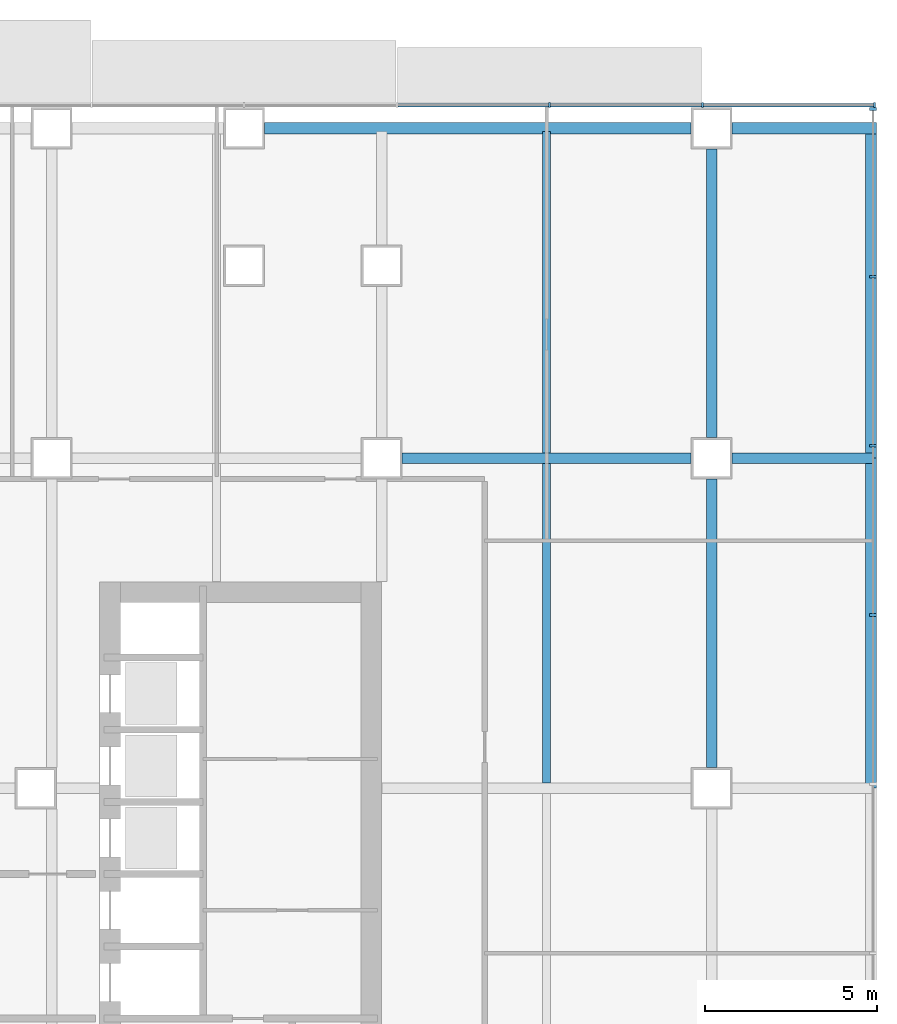
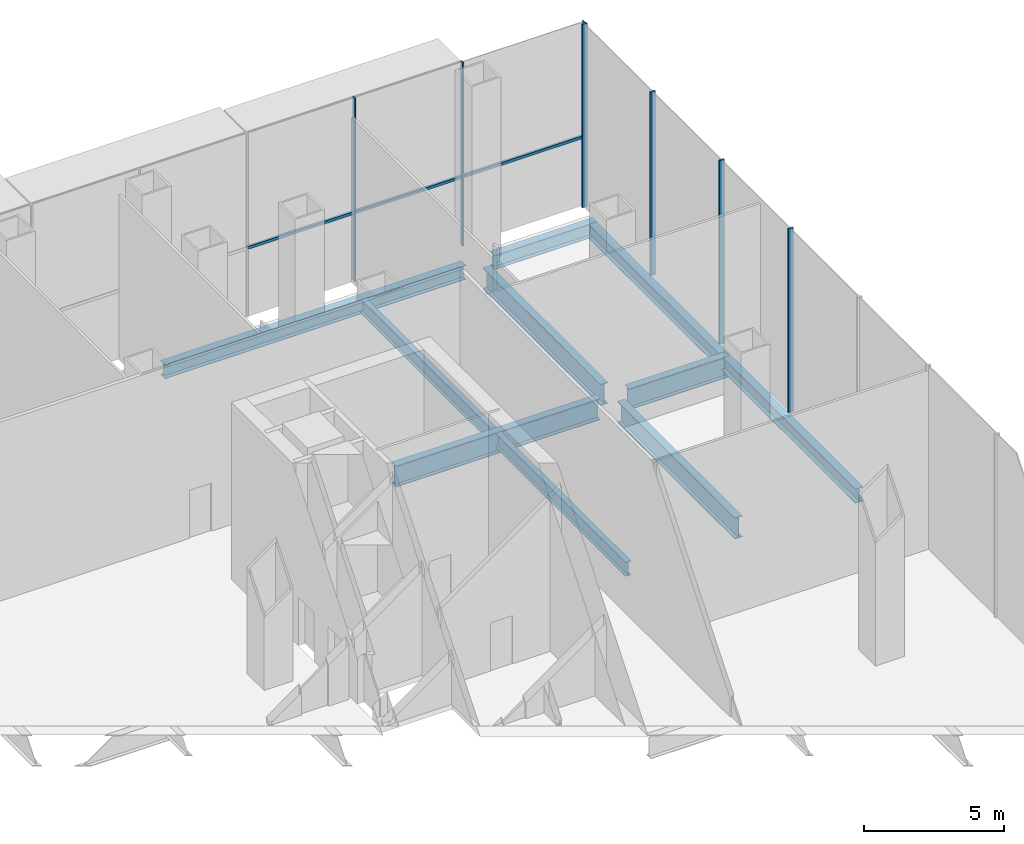
# One storey, part 12 of 24: 10 beams, 10 members, 2 elements without a shape of their own.
"""IFC4 building model written with IfcOpenShell, lengths in metres."""

import ifcopenshell
import ifcopenshell.guid

model = None  # the IFC model being written
_history = None  # IfcOwnerHistory: only IFC2X3 demands one
_inside = {}  # id of a spatial element -> (the spatial element, [elements in it])
_under = {}  # id of a project, library or spatial element -> (it, [spatial elements below it])
_declared = {}  # id of a project -> (the project, [libraries it declares])
_typed = {}  # id of a type object -> (the type object, [elements of that type])
_made_of = {}  # id of a material, layer set ... -> (it, [elements and type objects made of it])


def new_model(schema):
    """Start an empty IFC model of exactly this schema.

    Asked for "IFC4X3", IfcOpenShell would pick the latest addendum, in which some entities
    have other attributes; the version numbers below select the first issue.
    IFC2X3 requires an IfcOwnerHistory on every rooted entity: one is made here for all.
    """
    global model, _history
    if schema == "IFC4X3":
        model = ifcopenshell.file(schema_version=(4, 3, 0, 0))
    else:
        model = ifcopenshell.file(schema=schema)
    _inside.clear()
    _under.clear()
    _declared.clear()
    _typed.clear()
    _made_of.clear()
    _history = None
    if model.schema == "IFC2X3":
        org = make("IfcOrganization", Name="unknown")
        user = make(
            "IfcPersonAndOrganization",
            ThePerson=make("IfcPerson", FamilyName="unknown"),
            TheOrganization=org,
        )
        app = make(
            "IfcApplication",
            ApplicationDeveloper=org,
            Version="unknown",
            ApplicationFullName="unknown",
            ApplicationIdentifier="unknown",
        )
        _history = make(
            "IfcOwnerHistory",
            OwningUser=user,
            OwningApplication=app,
            ChangeAction="ADDED",
            CreationDate=0,
        )
    return model


def make(cls, **values):
    """One entity of the class cls with the attributes given. An attribute that is None is left unset."""
    return model.create_entity(
        cls, **{name: value for name, value in values.items() if value is not None}
    )


def rooted(cls, **values):
    """An entity with a GlobalId (a new one), such as an element, a storey or a relation."""
    return make(cls, GlobalId=ifcopenshell.guid.new(), OwnerHistory=_history, **values)


def si_unit(unit_type, name, prefix=None):
    """IfcSIUnit, for example si_unit("LENGTHUNIT", "METRE", prefix="MILLI")."""
    return make("IfcSIUnit", UnitType=unit_type, Prefix=prefix, Name=name)


def assignment(units):
    """IfcUnitAssignment: the units of a project."""
    return None if units is None else make("IfcUnitAssignment", Units=units)


def point(xyz):
    """IfcCartesianPoint."""
    return None if xyz is None else make("IfcCartesianPoint", Coordinates=xyz)


def direction(xyz):
    """IfcDirection."""
    return None if xyz is None else make("IfcDirection", DirectionRatios=xyz)


def frame(location, z_axis=None, x_axis=None):
    """IfcAxis2Placement3D, a coordinate frame: its origin and axes. An axis left out is left unset."""
    return make(
        "IfcAxis2Placement3D",
        Location=point(location),
        Axis=direction(z_axis),
        RefDirection=direction(x_axis),
    )


def frame_2d(location, x_axis=None):
    """IfcAxis2Placement2D, a coordinate frame in the plane: its origin and x axis."""
    return make(
        "IfcAxis2Placement2D", Location=point(location), RefDirection=direction(x_axis)
    )


def origin():
    """The frame at (0, 0, 0) with its axes left unset."""
    return frame((0.0, 0.0, 0.0))


def origin_2d():
    """The frame at (0, 0) in the plane with its x axis left unset."""
    return frame_2d((0.0, 0.0))


def place(relative_to, where):
    """IfcLocalPlacement: puts the frame where relative to a parent placement (None: the world)."""
    return make(
        "IfcLocalPlacement", PlacementRelTo=relative_to, RelativePlacement=where
    )


def context(
    kind, dimensions, precision=None, world=None, true_north=None, identifier=None
):
    """IfcGeometricRepresentationContext, for example the 3D "Model" context."""
    return make(
        "IfcGeometricRepresentationContext",
        ContextIdentifier=identifier,
        ContextType=kind,
        CoordinateSpaceDimension=dimensions,
        Precision=precision,
        WorldCoordinateSystem=world,
        TrueNorth=true_north,
    )


def subcontext(parent, identifier, kind, view, scale=None):
    """IfcGeometricRepresentationSubContext, for example "Body" below "Model"."""
    return make(
        "IfcGeometricRepresentationSubContext",
        ContextIdentifier=identifier,
        ContextType=kind,
        ParentContext=parent,
        TargetScale=scale,
        TargetView=view,
    )


def project(units=None, contexts=None):
    """IfcProject with its units and contexts."""
    return rooted(
        "IfcProject",
        Name="project",
        RepresentationContexts=contexts,
        UnitsInContext=assignment(units),
    )


def spatial(cls, under=None, at=None, **own):
    """A site, building, storey or space (cls), placed at a placement, below another one or the project."""
    s = rooted(cls, ObjectPlacement=at, **own)
    if under is not None:
        _under.setdefault(under.id(), (under, []))[1].append(s)
    return s


def profile(cls, at=None, kind="AREA", **sizes):
    """A parametric profile (cls). Its sizes go by their IFC names, for example OverallWidth=200.0."""
    return make(cls, ProfileType=kind, Position=at, **sizes)


def rectangle(**sizes):
    """IfcRectangleProfileDef."""
    return profile("IfcRectangleProfileDef", **sizes)


def i_section(**sizes):
    """IfcIShapeProfileDef."""
    return profile("IfcIShapeProfileDef", **sizes)


def extrude(swept, where, along, depth):
    """IfcExtrudedAreaSolid: the profile swept, set in the frame where, extruded along a direction by depth."""
    return make(
        "IfcExtrudedAreaSolid",
        SweptArea=swept,
        Position=where,
        ExtrudedDirection=direction(along),
        Depth=depth,
    )


def shape(context_of_items, identifier, shape_type, items):
    """IfcShapeRepresentation: the items that make up one representation, for example the "Body"."""
    return make(
        "IfcShapeRepresentation",
        ContextOfItems=context_of_items,
        RepresentationIdentifier=identifier,
        RepresentationType=shape_type,
        Items=items,
    )


def material(Name=None, Category=None):
    """IfcMaterial."""
    return make("IfcMaterial", Name=Name, Category=Category)


def material_profile(
    of_material, cross_section, Name=None, Category=None, Priority=None
):
    """IfcMaterialProfile: a cross section and its material."""
    return make(
        "IfcMaterialProfile",
        Name=Name,
        Material=of_material,
        Profile=cross_section,
        Priority=Priority,
        Category=Category,
    )


def profile_set(profiles, Name=None, composite=None):
    """IfcMaterialProfileSet."""
    return make(
        "IfcMaterialProfileSet",
        Name=Name,
        MaterialProfiles=profiles,
        CompositeProfile=composite,
    )


def made_of(thing, what):
    """Note that an element or type object is made of a material, layer set ...; save() writes the relation."""
    if what is not None:
        _made_of.setdefault(what.id(), (what, []))[1].append(thing)
    return thing


def type_object(cls, material=None, **own):
    """A type object (cls), such as IfcWallType, which elements share."""
    return made_of(rooted(cls, **own), material)


def element(
    cls,
    number,
    at=None,
    inside=None,
    cuts=None,
    type_object=None,
    material=None,
    context=None,
    identifier="Body",
    shape_type=None,
    held_by="IfcProductDefinitionShape",
    body=None,
    shapes=None,
    **own,
):
    """One element of the class cls, such as IfcWall. Its Tag is "e" and its number.

    at: its placement. inside: the storey or other place that contains it. cuts: it is an
    opening in that element (IfcRelVoidsElement). A single representation is given by context,
    identifier, shape_type and body (its items); several are given by shapes. held_by: the class
    of the entity that holds the representations. save() writes the other relations.
    """
    e = rooted(cls, Tag="e%d" % number, ObjectPlacement=at, **own)
    if body is not None:
        shapes = [shape(context, identifier, shape_type, body)]
    if shapes is not None:
        e.Representation = make(held_by, Representations=shapes)
    if inside is not None:
        _inside.setdefault(inside.id(), (inside, []))[1].append(e)
    if cuts is not None:
        rooted(
            "IfcRelVoidsElement", RelatingBuildingElement=cuts, RelatedOpeningElement=e
        )
    if type_object is not None:
        _typed.setdefault(type_object.id(), (type_object, []))[1].append(e)
    return made_of(e, material)


def aggregate(whole, parts):
    """IfcRelAggregates: a whole, such as a stair, and the parts it consists of."""
    return rooted("IfcRelAggregates", RelatingObject=whole, RelatedObjects=parts)


def save(model, path):
    """Write the relations noted so far, then the file.

    IfcRelAggregates (storeys below a building ...), IfcRelContainedInSpatialStructure (elements
    in a storey), IfcRelDefinesByType, IfcRelAssociatesMaterial and IfcRelDeclares: one each for
    every whole, place, type object, material and project.
    """
    for whole, parts in _under.values():
        aggregate(whole, parts)
    for where, things in _inside.values():
        rooted(
            "IfcRelContainedInSpatialStructure",
            RelatedElements=things,
            RelatingStructure=where,
        )
    for kind, things in _typed.values():
        rooted("IfcRelDefinesByType", RelatedObjects=things, RelatingType=kind)
    for what, things in _made_of.values():
        rooted("IfcRelAssociatesMaterial", RelatedObjects=things, RelatingMaterial=what)
    for by, libraries in _declared.values():
        rooted("IfcRelDeclares", RelatingContext=by, RelatedDefinitions=libraries)
    model.write(path)


model = new_model("IFC4")

# Units and contexts
model_context = context("Model", 3, precision=1e-05, world=origin(), true_north=direction((0.0, 1.0)))
body_context = subcontext(model_context, "Body", "Model", "MODEL_VIEW")
ifc_project = project(units=[si_unit("LENGTHUNIT", "METRE"), si_unit("AREAUNIT", "SQUARE_METRE"), si_unit("VOLUMEUNIT", "CUBIC_METRE"), si_unit("PLANEANGLEUNIT", "RADIAN"), si_unit("MASSUNIT", "GRAM", prefix="KILO")], contexts=[model_context])

# Site, building, storey
site_placement = place(None, origin())
site = spatial("IfcSite", under=ifc_project, at=site_placement, CompositionType="ELEMENT")
building_placement = place(site_placement, origin())
building = spatial("IfcBuilding", under=site, at=building_placement, Name="Cobrizo Arcos Hotel Tower", CompositionType="ELEMENT")
storey_placement = place(building_placement, frame((0.0, 0.0, 7.5)))
storey = spatial("IfcBuildingStorey", under=building, at=storey_placement, Name="L01", CompositionType="ELEMENT", Elevation=7.5)

# Curtain wall, members
ifc_material_1 = material(Name="Aluminium 6063-T6 anodised bronze", Category="aluminium")
curtain_wall_type_1 = type_object("IfcCurtainWallType", Name="CW-A guest facade", PredefinedType="NOTDEFINED", material=ifc_material_1)
curtain_wall_1_placement = place(storey_placement, origin())
curtain_wall_1 = element("IfcCurtainWall", 1, at=curtain_wall_1_placement, inside=storey, type_object=curtain_wall_type_1, Name="CW-A L01 N face", PredefinedType="NOTDEFINED")
ifc_material_profile_1 = material_profile(ifc_material_1, rectangle(XDim=0.14990234375, YDim=0.06005859375, at=origin_2d()), Name="CW-A mullion 150x60")
ifc_profile_set_1 = profile_set([ifc_material_profile_1], Name="Aluminium 6063-T6 anodised bronze")
member_type_1 = type_object("IfcMemberType", Name="CW-A mullion 150x60", PredefinedType="MULLION", material=ifc_profile_set_1)
member_1_placement = place(storey_placement, frame((38.344970703125, 24.675048828125, 0.0), z_axis=(0.0, 0.0, 1.0), x_axis=(0.0, 1.0, 0.0)))
member_1 = element("IfcMember", 2, at=member_1_placement, type_object=member_type_1, Name="CW-A mullion 1", PredefinedType="MULLION", context=body_context, shape_type="SweptSolid", body=[
    extrude(rectangle(XDim=0.14990234375, YDim=0.06005859375, at=origin_2d()), origin(), (0.0, 0.0, 1.0), 8.0),
])
member_2_placement = place(storey_placement, frame((33.333251953125, 24.675048828125, 0.0), z_axis=(0.0, 0.0, 1.0), x_axis=(0.0, 1.0, 0.0)))
member_2 = element("IfcMember", 3, at=member_2_placement, type_object=member_type_1, Name="CW-A mullion 2", PredefinedType="MULLION", context=body_context, shape_type="SweptSolid", body=[
    extrude(rectangle(XDim=0.14990234375, YDim=0.06005859375, at=origin_2d()), origin(), (0.0, 0.0, 1.0), 8.0),
])
member_3_placement = place(storey_placement, frame((28.888916015625, 24.675048828125, 0.0), z_axis=(0.0, 0.0, 1.0), x_axis=(0.0, 1.0, 0.0)))
member_3 = element("IfcMember", 4, at=member_3_placement, type_object=member_type_1, Name="CW-A mullion 3", PredefinedType="MULLION", context=body_context, shape_type="SweptSolid", body=[
    extrude(rectangle(XDim=0.14990234375, YDim=0.06005859375, at=origin_2d()), origin(), (0.0, 0.0, 1.0), 8.0),
])
ifc_material_profile_2 = material_profile(ifc_material_1, rectangle(XDim=0.10009765625, YDim=0.1201171875, at=origin_2d()), Name="CW-A transom 120x100")
ifc_profile_set_2 = profile_set([ifc_material_profile_2], Name="Aluminium 6063-T6 anodised bronze")
member_type_2 = type_object("IfcMemberType", Name="CW-A transom 120x100", PredefinedType="USERDEFINED", material=ifc_profile_set_2)
member_4_placement = place(storey_placement, frame((38.31494140625, 24.675048828125, 3.0), z_axis=(-1.0, 0.0, 0.0), x_axis=(0.0, -1.0, 0.0)))
member_4 = element("IfcMember", 5, at=member_4_placement, type_object=member_type_2, Name="CW-A transom 63", ObjectType="TRANSOM", PredefinedType="USERDEFINED", context=body_context, shape_type="SweptSolid", body=[
    extrude(rectangle(XDim=0.10009765625, YDim=0.1201171875, at=origin_2d()), origin(), (0.0, 0.0, 1.0), 4.95166015625),
])
member_5_placement = place(storey_placement, frame((33.30322265625, 24.675048828125, 3.0), z_axis=(-1.0, 0.0, 0.0), x_axis=(0.0, -1.0, 0.0)))
member_5 = element("IfcMember", 6, at=member_5_placement, type_object=member_type_2, Name="CW-A transom 64", ObjectType="TRANSOM", PredefinedType="USERDEFINED", context=body_context, shape_type="SweptSolid", body=[
    extrude(rectangle(XDim=0.10009765625, YDim=0.1201171875, at=origin_2d()), origin(), (0.0, 0.0, 1.0), 4.38427734375),
])
member_6_placement = place(storey_placement, frame((28.85888671875, 24.675048828125, 3.0), z_axis=(-1.0, 0.0, 0.0), x_axis=(0.0, -1.0, 0.0)))
member_6 = element("IfcMember", 7, at=member_6_placement, type_object=member_type_2, Name="CW-A transom 65", ObjectType="TRANSOM", PredefinedType="USERDEFINED", context=body_context, shape_type="SweptSolid", body=[
    extrude(rectangle(XDim=0.10009765625, YDim=0.1201171875, at=origin_2d()), origin(), (0.0, 0.0, 1.0), 4.384521484375),
])
aggregate(curtain_wall_1, [member_1, member_2, member_3, member_4, member_5, member_6])

curtain_wall_type_2 = type_object("IfcCurtainWallType", Name="CW-B podium glazing", PredefinedType="NOTDEFINED", material=ifc_material_1)
curtain_wall_2_placement = place(storey_placement, origin())
curtain_wall_2 = element("IfcCurtainWall", 8, at=curtain_wall_2_placement, inside=storey, type_object=curtain_wall_type_2, Name="CW-B L01 E face", PredefinedType="NOTDEFINED")
ifc_material_profile_3 = material_profile(ifc_material_1, rectangle(XDim=0.199951171875, YDim=0.080078125, at=origin_2d()), Name="CW-B mullion 200x80")
ifc_profile_set_3 = profile_set([ifc_material_profile_3], Name="Aluminium 6063-T6 anodised bronze")
member_type_3 = type_object("IfcMemberType", Name="CW-B mullion 200x80", PredefinedType="MULLION", material=ifc_profile_set_3)
member_7_placement = place(storey_placement, frame((38.300048828125, 9.840087890625, 0.0), z_axis=(0.0, 0.0, 1.0), x_axis=(1.0, 0.0, 0.0)))
member_7 = element("IfcMember", 9, at=member_7_placement, type_object=member_type_3, Name="CW-B mullion 8", PredefinedType="MULLION", context=body_context, shape_type="SweptSolid", body=[
    extrude(rectangle(XDim=0.199951171875, YDim=0.080078125, at=origin_2d()), origin(), (0.0, 0.0, 1.0), 8.0),
])
member_8_placement = place(storey_placement, frame((38.300048828125, 14.760009765625, 0.0), z_axis=(0.0, 0.0, 1.0), x_axis=(1.0, 0.0, 0.0)))
member_8 = element("IfcMember", 10, at=member_8_placement, type_object=member_type_3, Name="CW-B mullion 9", PredefinedType="MULLION", context=body_context, shape_type="SweptSolid", body=[
    extrude(rectangle(XDim=0.199951171875, YDim=0.080078125, at=origin_2d()), origin(), (0.0, 0.0, 1.0), 8.0),
])
member_9_placement = place(storey_placement, frame((38.300048828125, 19.679931640625, 0.0), z_axis=(0.0, 0.0, 1.0), x_axis=(1.0, 0.0, 0.0)))
member_9 = element("IfcMember", 11, at=member_9_placement, type_object=member_type_3, Name="CW-B mullion 10", PredefinedType="MULLION", context=body_context, shape_type="SweptSolid", body=[
    extrude(rectangle(XDim=0.199951171875, YDim=0.080078125, at=origin_2d()), origin(), (0.0, 0.0, 1.0), 8.0),
])
member_10_placement = place(storey_placement, frame((38.300048828125, 24.56005859375, 0.0), z_axis=(0.0, 0.0, 1.0), x_axis=(1.0, 0.0, 0.0)))
member_10 = element("IfcMember", 12, at=member_10_placement, type_object=member_type_3, Name="CW-B mullion 11", PredefinedType="MULLION", context=body_context, shape_type="SweptSolid", body=[
    extrude(rectangle(XDim=0.199951171875, YDim=0.080078125, at=origin_2d()), origin(), (0.0, 0.0, 1.0), 8.0),
])
aggregate(curtain_wall_2, [member_7, member_8, member_9, member_10])

# Beams
ifc_material_2 = material(Name="Steel ASTM A992 Grade 50", Category="steel")
ifc_material_profile_4 = material_profile(ifc_material_2, i_section(OverallWidth=0.32763671875, OverallDepth=0.622314453125, WebThickness=0.015380859375, FlangeThickness=0.0244140625, at=origin_2d()), Name="W24X131")
ifc_profile_set_4 = profile_set([ifc_material_profile_4], Name="Steel ASTM A992 Grade 50")
beam_type_1 = type_object("IfcBeamType", Name="W24X131 edge beam", PredefinedType="BEAM", material=ifc_profile_set_4)
beam_1_placement = place(storey_placement, frame((38.236083984375, 4.800048828125, -0.56103515625), z_axis=(0.0, 1.0, 0.0), x_axis=(-1.0, 0.0, 0.0)))
element("IfcBeam", 13, at=beam_1_placement, inside=storey, type_object=beam_type_1, Name="Edge beam EB1, L01, no. 004", PredefinedType="BEAM", context=body_context, shape_type="SweptSolid", body=[
    extrude(i_section(OverallWidth=0.32763671875, OverallDepth=0.622314453125, WebThickness=0.015380859375, FlangeThickness=0.0244140625, at=origin_2d()), origin(), (0.0, 0.0, 1.0), 9.599853515625),
])
beam_2_placement = place(storey_placement, frame((38.236083984375, 14.39990234375, -0.56103515625), z_axis=(0.0, 1.0, 0.0), x_axis=(-1.0, 0.0, 0.0)))
element("IfcBeam", 14, at=beam_2_placement, inside=storey, type_object=beam_type_1, Name="Edge beam EB1, L01, no. 005", PredefinedType="BEAM", context=body_context, shape_type="SweptSolid", body=[
    extrude(i_section(OverallWidth=0.32763671875, OverallDepth=0.622314453125, WebThickness=0.015380859375, FlangeThickness=0.0244140625, at=origin_2d()), origin(), (0.0, 0.0, 1.0), 9.60009765625),
])
beam_3_placement = place(storey_placement, frame((38.39990234375, 24.0, -0.56103515625), z_axis=(-1.0, 0.0, 0.0), x_axis=(0.0, -1.0, 0.0)))
element("IfcBeam", 15, at=beam_3_placement, inside=storey, type_object=beam_type_1, Name="Edge beam EB1, L01, no. 006", PredefinedType="BEAM", context=body_context, shape_type="SweptSolid", body=[
    extrude(i_section(OverallWidth=0.32763671875, OverallDepth=0.622314453125, WebThickness=0.015380859375, FlangeThickness=0.0244140625, at=origin_2d()), origin(), (0.0, 0.0, 1.0), 4.199951171875),
])
ifc_material_profile_5 = material_profile(ifc_material_2, i_section(OverallWidth=0.32763671875, OverallDepth=0.622314453125, WebThickness=0.015380859375, FlangeThickness=0.0244140625, at=origin_2d()), Name="W24X131")
ifc_profile_set_5 = profile_set([ifc_material_profile_5], Name="Steel ASTM A992 Grade 50")
beam_type_2 = type_object("IfcBeamType", Name="W24X131 spandrel", PredefinedType="SPANDREL", material=ifc_profile_set_5)
beam_4_placement = place(storey_placement, frame((33.0, 24.0, -0.56103515625), z_axis=(-1.0, 0.0, 0.0), x_axis=(0.0, -1.0, 0.0)))
element("IfcBeam", 16, at=beam_4_placement, inside=storey, type_object=beam_type_2, Name="Spandrel beam W24X131, L01, no. 001", PredefinedType="SPANDREL", context=body_context, shape_type="SweptSolid", body=[
    extrude(i_section(OverallWidth=0.32763671875, OverallDepth=0.622314453125, WebThickness=0.015380859375, FlangeThickness=0.0244140625, at=origin_2d()), origin(), (0.0, 0.0, 1.0), 12.39990234375),
])
ifc_material_profile_6 = material_profile(ifc_material_2, i_section(OverallWidth=0.23046875, OverallDepth=0.6171875, WebThickness=0.01318359375, FlangeThickness=0.022216796875, at=origin_2d()), Name="W24X94")
ifc_profile_set_6 = profile_set([ifc_material_profile_6], Name="Steel ASTM A992 Grade 50")
beam_type_3 = type_object("IfcBeamType", Name="W24X94 podium joist", PredefinedType="JOIST", material=ifc_profile_set_6)
beam_5_placement = place(storey_placement, frame((28.800048828125, 4.95361328125, -0.55859375), z_axis=(0.0, 1.0, 0.0), x_axis=(-1.0, 0.0, 0.0)))
element("IfcBeam", 17, at=beam_5_placement, inside=storey, type_object=beam_type_3, Name="Podium joist PJ1, L01, no. 032", PredefinedType="JOIST", context=body_context, shape_type="SweptSolid", body=[
    extrude(i_section(OverallWidth=0.23046875, OverallDepth=0.6171875, WebThickness=0.01318359375, FlangeThickness=0.022216796875, at=origin_2d()), origin(), (0.0, 0.0, 1.0), 9.292724609375),
])
beam_6_placement = place(storey_placement, frame((28.800048828125, 14.5537109375, -0.55859375), z_axis=(0.0, 1.0, 0.0), x_axis=(-1.0, 0.0, 0.0)))
element("IfcBeam", 18, at=beam_6_placement, inside=storey, type_object=beam_type_3, Name="Podium joist PJ1, L01, no. 033", PredefinedType="JOIST", context=body_context, shape_type="SweptSolid", body=[
    extrude(i_section(OverallWidth=0.23046875, OverallDepth=0.6171875, WebThickness=0.01318359375, FlangeThickness=0.022216796875, at=origin_2d()), origin(), (0.0, 0.0, 1.0), 9.356201171875),
])
ifc_material_profile_7 = material_profile(ifc_material_2, i_section(OverallWidth=0.307373046875, OverallDepth=0.927001953125, WebThickness=0.01953125, FlangeThickness=0.031982421875, at=origin_2d()), Name="W36X194")
ifc_profile_set_7 = profile_set([ifc_material_profile_7], Name="Steel ASTM A992 Grade 50")
beam_type_4 = type_object("IfcBeamType", Name="W36X194 podium girder", PredefinedType="BEAM", material=ifc_profile_set_7)
beam_7_placement = place(storey_placement, frame((24.60009765625, 14.39990234375, -0.71337890625), z_axis=(1.0, 0.0, 0.0), x_axis=(0.0, 1.0, 0.0)))
element("IfcBeam", 19, at=beam_7_placement, inside=storey, type_object=beam_type_4, Name="Podium girder PG1, L01, no. 033", PredefinedType="BEAM", context=body_context, shape_type="SweptSolid", body=[
    extrude(i_section(OverallWidth=0.307373046875, OverallDepth=0.927001953125, WebThickness=0.01953125, FlangeThickness=0.031982421875, at=origin_2d()), origin(), (0.0, 0.0, 1.0), 8.39990234375),
])
beam_8_placement = place(storey_placement, frame((34.199951171875, 14.39990234375, -0.71337890625), z_axis=(1.0, 0.0, 0.0), x_axis=(0.0, 1.0, 0.0)))
element("IfcBeam", 20, at=beam_8_placement, inside=storey, type_object=beam_type_4, Name="Podium girder PG1, L01, no. 034", PredefinedType="BEAM", context=body_context, shape_type="SweptSolid", body=[
    extrude(i_section(OverallWidth=0.307373046875, OverallDepth=0.927001953125, WebThickness=0.01953125, FlangeThickness=0.031982421875, at=origin_2d()), origin(), (0.0, 0.0, 1.0), 4.110107421875),
])
beam_9_placement = place(storey_placement, frame((33.60009765625, 5.39990234375, -0.71337890625), z_axis=(0.0, 1.0, 0.0), x_axis=(-1.0, 0.0, 0.0)))
element("IfcBeam", 21, at=beam_9_placement, inside=storey, type_object=beam_type_4, Name="Podium girder PG1, L01, no. 075", PredefinedType="BEAM", context=body_context, shape_type="SweptSolid", body=[
    extrude(i_section(OverallWidth=0.307373046875, OverallDepth=0.927001953125, WebThickness=0.01953125, FlangeThickness=0.031982421875, at=origin_2d()), origin(), (0.0, 0.0, 1.0), 8.400146484375),
])
beam_10_placement = place(storey_placement, frame((33.60009765625, 15.0, -0.71337890625), z_axis=(0.0, 1.0, 0.0), x_axis=(-1.0, 0.0, 0.0)))
element("IfcBeam", 22, at=beam_10_placement, inside=storey, type_object=beam_type_4, Name="Podium girder PG1, L01, no. 076", PredefinedType="BEAM", context=body_context, shape_type="SweptSolid", body=[
    extrude(i_section(OverallWidth=0.307373046875, OverallDepth=0.927001953125, WebThickness=0.01953125, FlangeThickness=0.031982421875, at=origin_2d()), origin(), (0.0, 0.0, 1.0), 8.39990234375),
])

save(model, "model.ifc")
